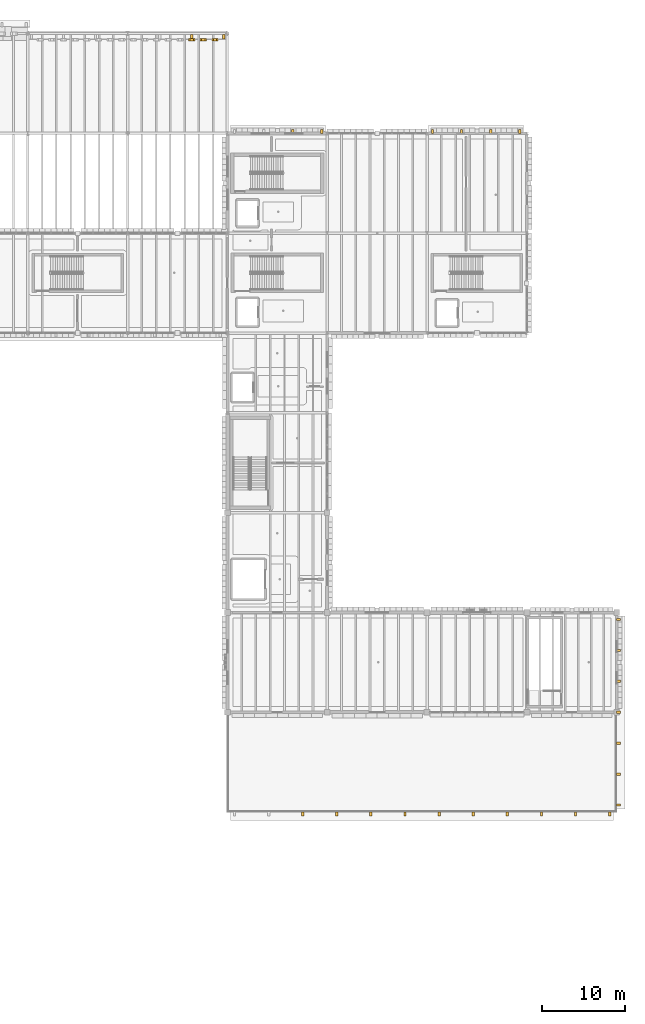
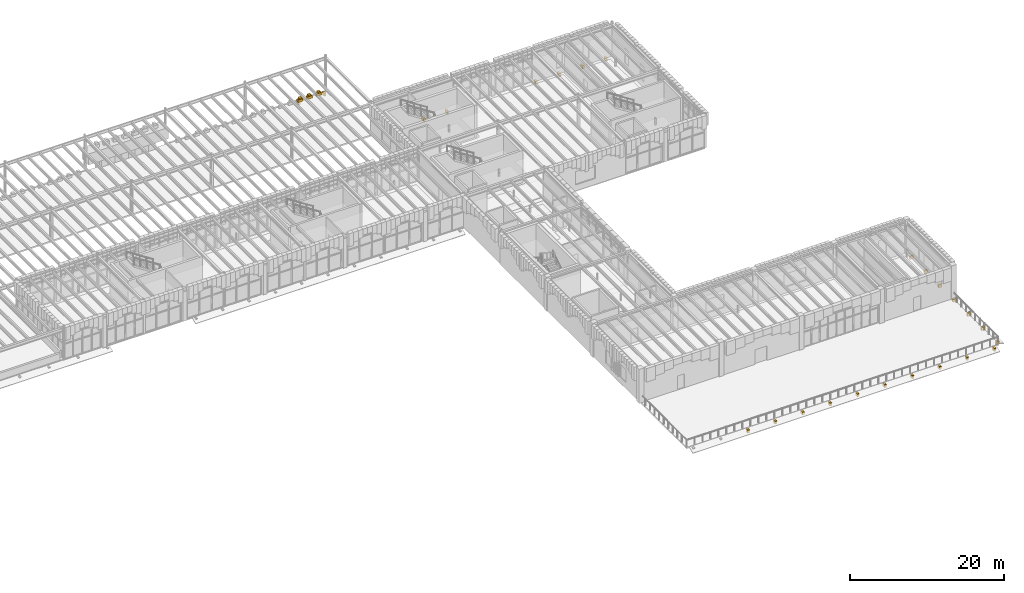
# One storey, part 100 of 100: 31 coverings.
"""IFC4 building model written with IfcOpenShell, lengths in metres."""

from ifc_helpers import new_model, si_unit, direction, frame, origin, place, context, subcontext, project, spatial, polyline, outline, extrude, material, layer, layer_set, type_object, element, save


model = new_model("IFC4")

# Units and contexts
model_context = context("Model", 3, precision=1e-05, world=origin(), true_north=direction((0.0, 1.0)))
body_context = subcontext(model_context, "Body", "Model", "MODEL_VIEW")
ifc_project = project(units=[si_unit("LENGTHUNIT", "METRE"), si_unit("AREAUNIT", "SQUARE_METRE"), si_unit("VOLUMEUNIT", "CUBIC_METRE"), si_unit("PLANEANGLEUNIT", "RADIAN"), si_unit("MASSUNIT", "GRAM", prefix="KILO")], contexts=[model_context])

# Site, building, storey
site_placement = place(None, origin())
site = spatial("IfcSite", under=ifc_project, at=site_placement, CompositionType="ELEMENT")
building_placement = place(site_placement, origin())
building = spatial("IfcBuilding", under=site, at=building_placement, Name="Zlatogorsky Bluff Art Gallery", CompositionType="ELEMENT")
storey_placement = place(building_placement, frame((0.0, 0.0, 5.39990234375)))
storey = spatial("IfcBuildingStorey", under=building, at=storey_placement, Name="L01", CompositionType="ELEMENT", Elevation=5.39990234375)

# Coverings
ifc_material = material(Name="Honed Red Agra-Tone Quartzitic Sandstone", Category="masonry")
ifc_layer = layer(ifc_material, 0.1201171875)
ifc_layer_set = layer_set([ifc_layer], Name="Carved Sandstone Cladding CLD-02")
covering_type = type_object("IfcCoveringType", Name="Carved Sandstone Cladding CLD-02", PredefinedType="CLADDING", material=ifc_layer_set)
covering_1_placement = place(storey_placement, frame((0.0, 0.0, -0.599853515625)))
element("IfcCovering", 1, at=covering_1_placement, inside=storey, type_object=covering_type, Name="Chhajja carved stone corbel CHJ-DALAN-E.6", PredefinedType="CLADDING", context=body_context, shape_type="SweptSolid", body=[
    extrude(outline(polyline([(115.56005859375, 119.360107421875), (115.840087890625, 119.360107421875), (115.840087890625, 119.860107421875), (115.56005859375, 119.860107421875), (115.56005859375, 119.360107421875)])), origin(), (0.0, 0.0, 1.0), 0.47998046875),
])
covering_2_placement = place(storey_placement, frame((0.0, 0.0, -0.599853515625)))
element("IfcCovering", 2, at=covering_2_placement, inside=storey, type_object=covering_type, Name="Chhajja carved stone corbel CHJ-DALAN-E.7", PredefinedType="CLADDING", context=body_context, shape_type="SweptSolid", body=[
    extrude(outline(polyline([(119.409912109375, 119.360107421875), (119.68994140625, 119.360107421875), (119.68994140625, 119.860107421875), (119.409912109375, 119.860107421875), (119.409912109375, 119.360107421875)])), origin(), (0.0, 0.0, 1.0), 0.47998046875),
])
covering_3_placement = place(storey_placement, frame((0.0, 0.0, -0.010009765625)))
element("IfcCovering", 3, at=covering_3_placement, inside=storey, type_object=covering_type, Name="Kangura stepped merlon base DALAN-E.14", PredefinedType="CLADDING", context=body_context, shape_type="SweptSolid", body=[
    extrude(outline(polyline([(115.320068359375, 119.080078125), (116.080078125, 119.080078125), (116.080078125, 119.419921875), (115.320068359375, 119.419921875), (115.320068359375, 119.080078125)])), origin(), (0.0, 0.0, 1.0), 0.41455078125),
])
covering_4_placement = place(storey_placement, frame((0.0, 0.0, 0.385986328125)))
element("IfcCovering", 4, at=covering_4_placement, inside=storey, type_object=covering_type, Name="Kangura pointed merlon finial DALAN-E.14", PredefinedType="CLADDING", context=body_context, shape_type="SweptSolid", body=[
    extrude(outline(polyline([(115.50244140625, 119.080078125), (115.897705078125, 119.080078125), (115.897705078125, 119.419921875), (115.50244140625, 119.419921875), (115.50244140625, 119.080078125)])), origin(), (0.0, 0.0, 1.0), 0.254150390625),
])
covering_5_placement = place(storey_placement, frame((0.0, 0.0, -0.010009765625)))
element("IfcCovering", 5, at=covering_5_placement, inside=storey, type_object=covering_type, Name="Kangura stepped merlon base DALAN-E.15", PredefinedType="CLADDING", context=body_context, shape_type="SweptSolid", body=[
    extrude(outline(polyline([(116.719970703125, 119.080078125), (117.47998046875, 119.080078125), (117.47998046875, 119.419921875), (116.719970703125, 119.419921875), (116.719970703125, 119.080078125)])), origin(), (0.0, 0.0, 1.0), 0.41455078125),
])
covering_6_placement = place(storey_placement, frame((0.0, 0.0, 0.385986328125)))
element("IfcCovering", 6, at=covering_6_placement, inside=storey, type_object=covering_type, Name="Kangura pointed merlon finial DALAN-E.15", PredefinedType="CLADDING", context=body_context, shape_type="SweptSolid", body=[
    extrude(outline(polyline([(116.90234375, 119.080078125), (117.297607421875, 119.080078125), (117.297607421875, 119.419921875), (116.90234375, 119.419921875), (116.90234375, 119.080078125)])), origin(), (0.0, 0.0, 1.0), 0.254150390625),
])
covering_7_placement = place(storey_placement, frame((0.0, 0.0, -0.010009765625)))
element("IfcCovering", 7, at=covering_7_placement, inside=storey, type_object=covering_type, Name="Kangura stepped merlon base DALAN-E.16", PredefinedType="CLADDING", context=body_context, shape_type="SweptSolid", body=[
    extrude(outline(polyline([(118.1201171875, 119.080078125), (118.8798828125, 119.080078125), (118.8798828125, 119.419921875), (118.1201171875, 119.419921875), (118.1201171875, 119.080078125)])), origin(), (0.0, 0.0, 1.0), 0.41455078125),
])
covering_8_placement = place(storey_placement, frame((0.0, 0.0, 0.385986328125)))
element("IfcCovering", 8, at=covering_8_placement, inside=storey, type_object=covering_type, Name="Kangura pointed merlon finial DALAN-E.16", PredefinedType="CLADDING", context=body_context, shape_type="SweptSolid", body=[
    extrude(outline(polyline([(118.302490234375, 119.080078125), (118.697509765625, 119.080078125), (118.697509765625, 119.419921875), (118.302490234375, 119.419921875), (118.302490234375, 119.080078125)])), origin(), (0.0, 0.0, 1.0), 0.254150390625),
])
covering_9_placement = place(storey_placement, frame((0.0, 0.0, -0.599853515625)))
element("IfcCovering", 9, at=covering_9_placement, inside=storey, type_object=covering_type, Name="Chhajja carved stone corbel CHJ-NE-N-L01A.3", PredefinedType="CLADDING", context=body_context, shape_type="SweptSolid", body=[
    extrude(outline(polyline([(127.7099609375, 107.9599609375), (127.989990234375, 107.9599609375), (127.989990234375, 108.4599609375), (127.7099609375, 108.4599609375), (127.7099609375, 107.9599609375)])), origin(), (0.0, 0.0, 1.0), 0.47998046875),
])
covering_10_placement = place(storey_placement, frame((0.0, 0.0, -0.599853515625)))
element("IfcCovering", 10, at=covering_10_placement, inside=storey, type_object=covering_type, Name="Chhajja carved stone corbel CHJ-NE-N-L01A.4", PredefinedType="CLADDING", context=body_context, shape_type="SweptSolid", body=[
    extrude(outline(polyline([(131.2099609375, 107.9599609375), (131.489990234375, 107.9599609375), (131.489990234375, 108.4599609375), (131.2099609375, 108.4599609375), (131.2099609375, 107.9599609375)])), origin(), (0.0, 0.0, 1.0), 0.47998046875),
])
covering_11_placement = place(storey_placement, frame((0.0, 0.0, -0.599853515625)))
element("IfcCovering", 11, at=covering_11_placement, inside=storey, type_object=covering_type, Name="Chhajja carved stone corbel CHJ-NE-N-L01B.1", PredefinedType="CLADDING", context=body_context, shape_type="SweptSolid", body=[
    extrude(outline(polyline([(144.510009765625, 107.9599609375), (144.7900390625, 107.9599609375), (144.7900390625, 108.4599609375), (144.510009765625, 108.4599609375), (144.510009765625, 107.9599609375)])), origin(), (0.0, 0.0, 1.0), 0.47998046875),
])
covering_12_placement = place(storey_placement, frame((0.0, 0.0, -0.599853515625)))
element("IfcCovering", 12, at=covering_12_placement, inside=storey, type_object=covering_type, Name="Chhajja carved stone corbel CHJ-NE-N-L01B.2", PredefinedType="CLADDING", context=body_context, shape_type="SweptSolid", body=[
    extrude(outline(polyline([(148.010009765625, 107.9599609375), (148.2900390625, 107.9599609375), (148.2900390625, 108.4599609375), (148.010009765625, 108.4599609375), (148.010009765625, 107.9599609375)])), origin(), (0.0, 0.0, 1.0), 0.47998046875),
])
covering_13_placement = place(storey_placement, frame((0.0, 0.0, -0.599853515625)))
element("IfcCovering", 13, at=covering_13_placement, inside=storey, type_object=covering_type, Name="Chhajja carved stone corbel CHJ-NE-N-L01B.3", PredefinedType="CLADDING", context=body_context, shape_type="SweptSolid", body=[
    extrude(outline(polyline([(151.510009765625, 107.9599609375), (151.7900390625, 107.9599609375), (151.7900390625, 108.4599609375), (151.510009765625, 108.4599609375), (151.510009765625, 107.9599609375)])), origin(), (0.0, 0.0, 1.0), 0.47998046875),
])
covering_14_placement = place(storey_placement, frame((0.0, 0.0, -0.599853515625)))
element("IfcCovering", 14, at=covering_14_placement, inside=storey, type_object=covering_type, Name="Chhajja carved stone corbel CHJ-NE-N-L01B.4", PredefinedType="CLADDING", context=body_context, shape_type="SweptSolid", body=[
    extrude(outline(polyline([(155.010009765625, 107.9599609375), (155.2900390625, 107.9599609375), (155.2900390625, 108.4599609375), (155.010009765625, 108.4599609375), (155.010009765625, 107.9599609375)])), origin(), (0.0, 0.0, 1.0), 0.47998046875),
])
covering_15_placement = place(storey_placement, frame((0.0, 0.0, -0.599853515625)))
element("IfcCovering", 15, at=covering_15_placement, inside=storey, type_object=covering_type, Name="Chhajja carved stone corbel CHJ-EAST-E-L01.1", PredefinedType="CLADDING", context=body_context, shape_type="SweptSolid", body=[
    extrude(outline(polyline([(166.760009765625, 27.110107421875), (166.760009765625, 27.389892578125), (167.260009765625, 27.389892578125), (167.260009765625, 27.110107421875), (166.760009765625, 27.110107421875)])), origin(), (0.0, 0.0, 1.0), 0.47998046875),
])
covering_16_placement = place(storey_placement, frame((0.0, 0.0, -0.599853515625)))
element("IfcCovering", 16, at=covering_16_placement, inside=storey, type_object=covering_type, Name="Chhajja carved stone corbel CHJ-EAST-E-L01.2", PredefinedType="CLADDING", context=body_context, shape_type="SweptSolid", body=[
    extrude(outline(polyline([(166.760009765625, 30.82666015625), (166.760009765625, 31.106689453125), (167.260009765625, 31.106689453125), (167.260009765625, 30.82666015625), (166.760009765625, 30.82666015625)])), origin(), (0.0, 0.0, 1.0), 0.47998046875),
])
covering_17_placement = place(storey_placement, frame((0.0, 0.0, -0.599853515625)))
element("IfcCovering", 17, at=covering_17_placement, inside=storey, type_object=covering_type, Name="Chhajja carved stone corbel CHJ-EAST-E-L01.3", PredefinedType="CLADDING", context=body_context, shape_type="SweptSolid", body=[
    extrude(outline(polyline([(166.760009765625, 34.543212890625), (166.760009765625, 34.8232421875), (167.260009765625, 34.8232421875), (167.260009765625, 34.543212890625), (166.760009765625, 34.543212890625)])), origin(), (0.0, 0.0, 1.0), 0.47998046875),
])
covering_18_placement = place(storey_placement, frame((0.0, 0.0, -0.599853515625)))
element("IfcCovering", 18, at=covering_18_placement, inside=storey, type_object=covering_type, Name="Chhajja carved stone corbel CHJ-EAST-E-L01.4", PredefinedType="CLADDING", context=body_context, shape_type="SweptSolid", body=[
    extrude(outline(polyline([(166.760009765625, 38.260009765625), (166.760009765625, 38.5400390625), (167.260009765625, 38.5400390625), (167.260009765625, 38.260009765625), (166.760009765625, 38.260009765625)])), origin(), (0.0, 0.0, 1.0), 0.47998046875),
])
covering_19_placement = place(storey_placement, frame((0.0, 0.0, -0.599853515625)))
element("IfcCovering", 19, at=covering_19_placement, inside=storey, type_object=covering_type, Name="Chhajja carved stone corbel CHJ-EAST-E-L01.5", PredefinedType="CLADDING", context=body_context, shape_type="SweptSolid", body=[
    extrude(outline(polyline([(166.760009765625, 41.976806640625), (166.760009765625, 42.256591796875), (167.260009765625, 42.256591796875), (167.260009765625, 41.976806640625), (166.760009765625, 41.976806640625)])), origin(), (0.0, 0.0, 1.0), 0.47998046875),
])
covering_20_placement = place(storey_placement, frame((0.0, 0.0, -0.599853515625)))
element("IfcCovering", 20, at=covering_20_placement, inside=storey, type_object=covering_type, Name="Chhajja carved stone corbel CHJ-EAST-E-L01.6", PredefinedType="CLADDING", context=body_context, shape_type="SweptSolid", body=[
    extrude(outline(polyline([(166.760009765625, 45.693359375), (166.760009765625, 45.973388671875), (167.260009765625, 45.973388671875), (167.260009765625, 45.693359375), (166.760009765625, 45.693359375)])), origin(), (0.0, 0.0, 1.0), 0.47998046875),
])
covering_21_placement = place(storey_placement, frame((0.0, 0.0, -0.599853515625)))
element("IfcCovering", 21, at=covering_21_placement, inside=storey, type_object=covering_type, Name="Chhajja carved stone corbel CHJ-EAST-E-L01.7", PredefinedType="CLADDING", context=body_context, shape_type="SweptSolid", body=[
    extrude(outline(polyline([(166.760009765625, 49.409912109375), (166.760009765625, 49.68994140625), (167.260009765625, 49.68994140625), (167.260009765625, 49.409912109375), (166.760009765625, 49.409912109375)])), origin(), (0.0, 0.0, 1.0), 0.47998046875),
])
covering_22_placement = place(storey_placement, frame((0.0, 0.0, -0.599853515625)))
element("IfcCovering", 22, at=covering_22_placement, inside=storey, type_object=covering_type, Name="Chhajja carved stone corbel CHJ-EAST-S-L01.3", PredefinedType="CLADDING", context=body_context, shape_type="SweptSolid", body=[
    extrude(outline(polyline([(128.909912109375, 25.93994140625), (129.18994140625, 25.93994140625), (129.18994140625, 26.43994140625), (128.909912109375, 26.43994140625), (128.909912109375, 25.93994140625)])), origin(), (0.0, 0.0, 1.0), 0.47998046875),
])
covering_23_placement = place(storey_placement, frame((0.0, 0.0, -0.599853515625)))
element("IfcCovering", 23, at=covering_23_placement, inside=storey, type_object=covering_type, Name="Chhajja carved stone corbel CHJ-EAST-S-L01.4", PredefinedType="CLADDING", context=body_context, shape_type="SweptSolid", body=[
    extrude(outline(polyline([(133.010009765625, 25.93994140625), (133.2900390625, 25.93994140625), (133.2900390625, 26.43994140625), (133.010009765625, 26.43994140625), (133.010009765625, 25.93994140625)])), origin(), (0.0, 0.0, 1.0), 0.47998046875),
])
covering_24_placement = place(storey_placement, frame((0.0, 0.0, -0.599853515625)))
element("IfcCovering", 24, at=covering_24_placement, inside=storey, type_object=covering_type, Name="Chhajja carved stone corbel CHJ-EAST-S-L01.5", PredefinedType="CLADDING", context=body_context, shape_type="SweptSolid", body=[
    extrude(outline(polyline([(137.110107421875, 25.93994140625), (137.389892578125, 25.93994140625), (137.389892578125, 26.43994140625), (137.110107421875, 26.43994140625), (137.110107421875, 25.93994140625)])), origin(), (0.0, 0.0, 1.0), 0.47998046875),
])
covering_25_placement = place(storey_placement, frame((0.0, 0.0, -0.599853515625)))
element("IfcCovering", 25, at=covering_25_placement, inside=storey, type_object=covering_type, Name="Chhajja carved stone corbel CHJ-EAST-S-L01.6", PredefinedType="CLADDING", context=body_context, shape_type="SweptSolid", body=[
    extrude(outline(polyline([(141.2099609375, 25.93994140625), (141.489990234375, 25.93994140625), (141.489990234375, 26.43994140625), (141.2099609375, 26.43994140625), (141.2099609375, 25.93994140625)])), origin(), (0.0, 0.0, 1.0), 0.47998046875),
])
covering_26_placement = place(storey_placement, frame((0.0, 0.0, -0.599853515625)))
element("IfcCovering", 26, at=covering_26_placement, inside=storey, type_object=covering_type, Name="Chhajja carved stone corbel CHJ-EAST-S-L01.7", PredefinedType="CLADDING", context=body_context, shape_type="SweptSolid", body=[
    extrude(outline(polyline([(145.31005859375, 25.93994140625), (145.590087890625, 25.93994140625), (145.590087890625, 26.43994140625), (145.31005859375, 26.43994140625), (145.31005859375, 25.93994140625)])), origin(), (0.0, 0.0, 1.0), 0.47998046875),
])
covering_27_placement = place(storey_placement, frame((0.0, 0.0, -0.599853515625)))
element("IfcCovering", 27, at=covering_27_placement, inside=storey, type_object=covering_type, Name="Chhajja carved stone corbel CHJ-EAST-S-L01.8", PredefinedType="CLADDING", context=body_context, shape_type="SweptSolid", body=[
    extrude(outline(polyline([(149.409912109375, 25.93994140625), (149.68994140625, 25.93994140625), (149.68994140625, 26.43994140625), (149.409912109375, 26.43994140625), (149.409912109375, 25.93994140625)])), origin(), (0.0, 0.0, 1.0), 0.47998046875),
])
covering_28_placement = place(storey_placement, frame((0.0, 0.0, -0.599853515625)))
element("IfcCovering", 28, at=covering_28_placement, inside=storey, type_object=covering_type, Name="Chhajja carved stone corbel CHJ-EAST-S-L01.9", PredefinedType="CLADDING", context=body_context, shape_type="SweptSolid", body=[
    extrude(outline(polyline([(153.510009765625, 25.93994140625), (153.7900390625, 25.93994140625), (153.7900390625, 26.43994140625), (153.510009765625, 26.43994140625), (153.510009765625, 25.93994140625)])), origin(), (0.0, 0.0, 1.0), 0.47998046875),
])
covering_29_placement = place(storey_placement, frame((0.0, 0.0, -0.599853515625)))
element("IfcCovering", 29, at=covering_29_placement, inside=storey, type_object=covering_type, Name="Chhajja carved stone corbel CHJ-EAST-S-L01.10", PredefinedType="CLADDING", context=body_context, shape_type="SweptSolid", body=[
    extrude(outline(polyline([(157.610107421875, 25.93994140625), (157.889892578125, 25.93994140625), (157.889892578125, 26.43994140625), (157.610107421875, 26.43994140625), (157.610107421875, 25.93994140625)])), origin(), (0.0, 0.0, 1.0), 0.47998046875),
])
covering_30_placement = place(storey_placement, frame((0.0, 0.0, -0.599853515625)))
element("IfcCovering", 30, at=covering_30_placement, inside=storey, type_object=covering_type, Name="Chhajja carved stone corbel CHJ-EAST-S-L01.11", PredefinedType="CLADDING", context=body_context, shape_type="SweptSolid", body=[
    extrude(outline(polyline([(161.7099609375, 25.93994140625), (161.989990234375, 25.93994140625), (161.989990234375, 26.43994140625), (161.7099609375, 26.43994140625), (161.7099609375, 25.93994140625)])), origin(), (0.0, 0.0, 1.0), 0.47998046875),
])
covering_31_placement = place(storey_placement, frame((0.0, 0.0, -0.599853515625)))
element("IfcCovering", 31, at=covering_31_placement, inside=storey, type_object=covering_type, Name="Chhajja carved stone corbel CHJ-EAST-S-L01.12", PredefinedType="CLADDING", context=body_context, shape_type="SweptSolid", body=[
    extrude(outline(polyline([(165.81005859375, 25.93994140625), (166.090087890625, 25.93994140625), (166.090087890625, 26.43994140625), (165.81005859375, 26.43994140625), (165.81005859375, 25.93994140625)])), origin(), (0.0, 0.0, 1.0), 0.47998046875),
])

save(model, "model.ifc")
